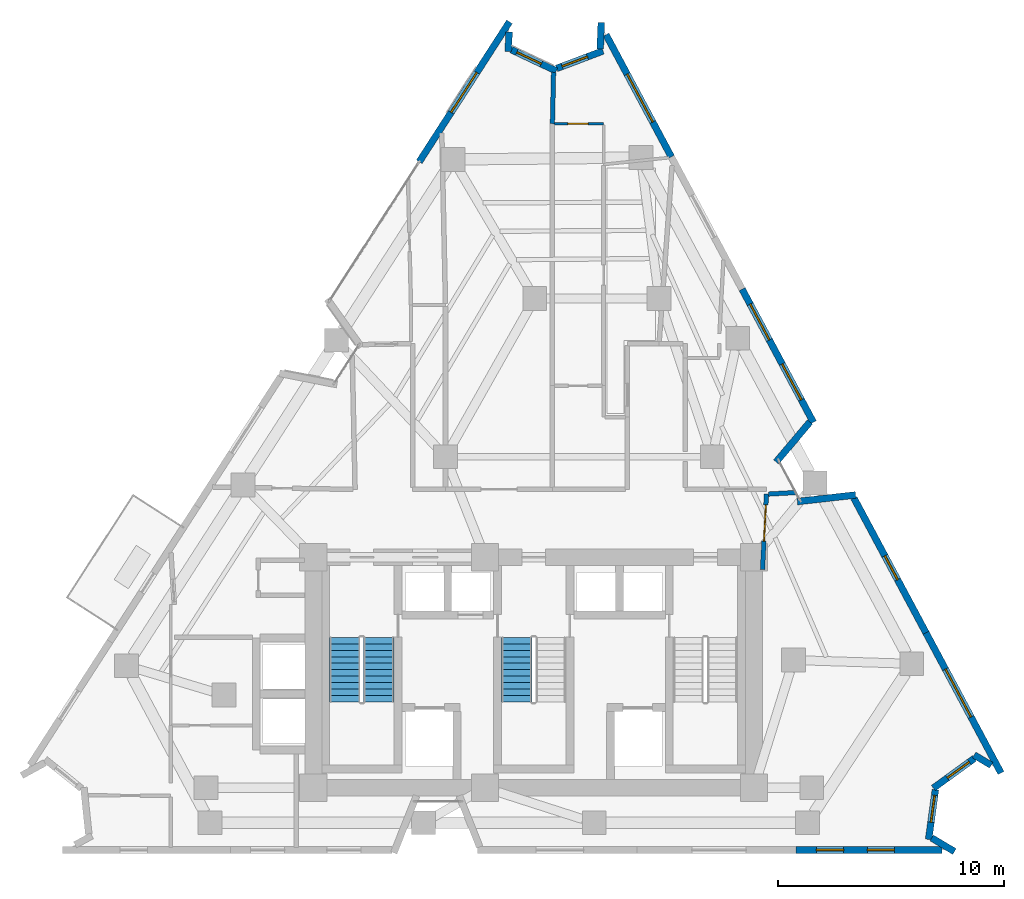
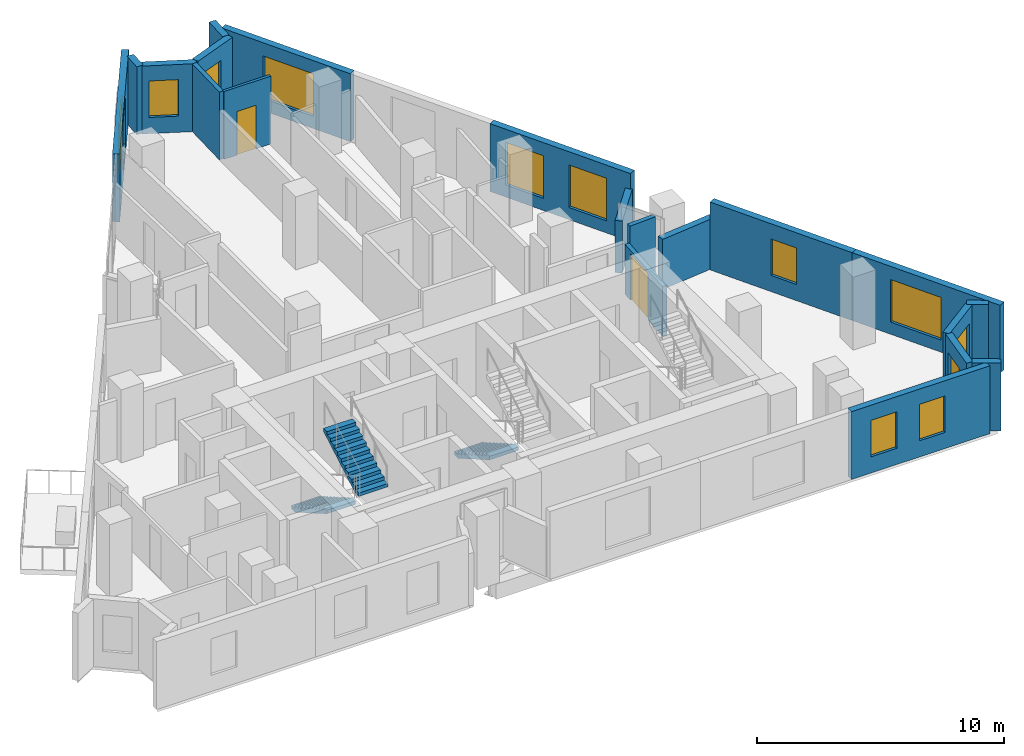
# One storey, part 8 of 11: 20 walls, 12 windows, 3 stair flights, 2 doors, 14 openings, 2 elements without a shape of their own.
"""IFC4 building model written with IfcOpenShell, lengths in metres."""

from ifc_helpers import new_model, si_unit, direction, frame, frame_2d, origin, place, context, subcontext, project, spatial, polyline, rectangle, outline, extrude, material, layer, layer_set, type_object, element, fill, aggregate, save


model = new_model("IFC4")

# Units and contexts
model_context = context("Model", 3, precision=1e-05, world=origin(), true_north=direction((0.0, 1.0)))
body_context = subcontext(model_context, "Body", "Model", "MODEL_VIEW")
ifc_project = project(units=[si_unit("LENGTHUNIT", "METRE"), si_unit("AREAUNIT", "SQUARE_METRE"), si_unit("VOLUMEUNIT", "CUBIC_METRE"), si_unit("PLANEANGLEUNIT", "RADIAN"), si_unit("MASSUNIT", "GRAM", prefix="KILO")], contexts=[model_context])

# Site, building, storey
site_placement = place(None, origin())
site = spatial("IfcSite", under=ifc_project, at=site_placement, CompositionType="ELEMENT")
building_placement = place(site_placement, origin())
building = spatial("IfcBuilding", under=site, at=building_placement, Name="Almagre Mirador Tower", CompositionType="ELEMENT")
storey_placement = place(building_placement, frame((0.0, 0.0, 178.800048828125)))
storey = spatial("IfcBuildingStorey", under=building, at=storey_placement, Name="L46", CompositionType="ELEMENT", Elevation=178.800048828125)

# Wall, opening, window
ifc_material_1 = material(Name="Precast concrete C50/60", Category="concrete")
ifc_layer_1 = layer(ifc_material_1, 0.300048828125)
ifc_layer_set_1 = layer_set([ifc_layer_1], Name="Precast concrete C50/60")
wall_type_1 = type_object("IfcWallType", Name="WAL-EXT-300", PredefinedType="SOLIDWALL", material=ifc_layer_set_1)
wall_1_placement = place(storey_placement, frame((32.239501953125, 32.2490234375, 0.0), z_axis=(0.0, 0.0, 1.0), x_axis=(0.542023436135, 0.840363370621, 0.0)))
wall_1 = element("IfcWall", 1, at=wall_1_placement, inside=storey, type_object=wall_type_1, Name="L46 expressed almagre precast frame wall 03", PredefinedType="SOLIDWALL", context=body_context, shape_type="SweptSolid", body=[
    extrude(rectangle(XDim=7.36572265625, YDim=0.300048828125, at=frame_2d((3.682861328125, 0.0))), origin(), (0.0, 0.0, 1.0), 3.349853515625),
])
opening_1_placement = place(wall_1_placement, frame((2.60009765625, 0.0, 0.550048828125)))
opening_1 = element("IfcOpeningElement", 2, at=opening_1_placement, cuts=wall_1, Name="Opening WN-05", PredefinedType="OPENING", context=body_context, shape_type="SweptSolid", body=[
    extrude(rectangle(XDim=2.10009765625, YDim=2.39990234375, at=frame_2d((1.050048828125, 1.199951171875))), frame((0.0, 0.159902, 0.0), z_axis=(0.0, -1.0, 0.0), x_axis=(1.0, 0.0, 0.0)), (0.0, 0.0, 1.0), 0.320049),
])
ifc_material_2 = material(Name="Dark solar-control laminated hurricane glass", Category="glass")
window_type_1 = type_object("IfcWindowType", Name="WIN-2100X2400", PartitioningType="DOUBLE_PANEL_VERTICAL", PredefinedType="WINDOW", material=ifc_material_2)
window_1_placement = place(opening_1_placement, origin())
window_1 = element("IfcWindow", 3, at=window_1_placement, inside=storey, type_object=window_type_1, Name="L46 recessed hurricane window L46-RST-F", OverallHeight=2.39990234375, OverallWidth=2.10009765625, PartitioningType="SINGLE_PANEL", PredefinedType="WINDOW", context=body_context, shape_type="SweptSolid", body=[
    extrude(rectangle(XDim=2.10009765625, YDim=2.39990234375, at=frame_2d((1.050048828125, 1.199951171875))), frame((0.0, 0.030029296875, 0.0), z_axis=(0.0, -1.0, 0.0), x_axis=(1.0, 0.0, 0.0)), (0.0, 0.0, 1.0), 0.06005859375),
])
fill(opening_1, window_1)

# Wall
wall_2_placement = place(storey_placement, frame((36.21337890625, 37.984375, 0.0), z_axis=(0.0, 0.0, 1.0), x_axis=(-0.041119807978, -0.999154223027, 0.0)))
element("IfcWall", 4, at=wall_2_placement, inside=storey, type_object=wall_type_1, Name="L46 expressed almagre precast frame wall 04", PredefinedType="SOLIDWALL", context=body_context, shape_type="SweptSolid", body=[
    extrude(rectangle(XDim=0.85498046875, YDim=0.300048828125, at=frame_2d((0.427490234375, 0.0))), origin(), (0.0, 0.0, 1.0), 3.349853515625),
])

# Wall, opening, window
wall_3_placement = place(storey_placement, frame((36.310546875, 37.2099609375, 0.0), z_axis=(0.0, 0.0, 1.0), x_axis=(0.903471604204, -0.428647944585, 0.0)))
wall_3 = element("IfcWall", 5, at=wall_3_placement, inside=storey, type_object=wall_type_1, Name="L46 expressed almagre precast frame wall 05", PredefinedType="SOLIDWALL", context=body_context, shape_type="SweptSolid", body=[
    extrude(rectangle(XDim=2.204833984375, YDim=0.300048828125, at=frame_2d((1.1025390625, 0.0))), origin(), (0.0, 0.0, 1.0), 3.349853515625),
])
opening_2_placement = place(wall_3_placement, frame((0.27001953125, 0.0, 0.800048828125)))
opening_2 = element("IfcOpeningElement", 6, at=opening_2_placement, cuts=wall_3, Name="Opening WN-04", PredefinedType="OPENING", context=body_context, shape_type="SweptSolid", body=[
    extrude(rectangle(XDim=1.199951171875, YDim=1.800048828125, at=frame_2d((0.60009765625, 0.89990234375))), frame((0.0, 0.159902, 0.0), z_axis=(0.0, -1.0, 0.0), x_axis=(1.0, 0.0, 0.0)), (0.0, 0.0, 1.0), 0.320049),
])
ifc_material_3 = material(Name="Dark solar-control laminated hurricane glass", Category="glass")
window_type_2 = type_object("IfcWindowType", Name="WIN-1200X1800", PartitioningType="SINGLE_PANEL", PredefinedType="WINDOW", material=ifc_material_3)
window_2_placement = place(opening_2_placement, origin())
window_2 = element("IfcWindow", 7, at=window_2_placement, inside=storey, type_object=window_type_2, Name="L46 recessed hurricane window L46-RST-F", OverallHeight=1.800048828125, OverallWidth=1.199951171875, PartitioningType="SINGLE_PANEL", PredefinedType="WINDOW", context=body_context, shape_type="SweptSolid", body=[
    extrude(rectangle(XDim=1.199951171875, YDim=1.800048828125, at=frame_2d((0.60009765625, 0.89990234375))), frame((0.0, 0.030029296875, 0.0), z_axis=(0.0, -1.0, 0.0), x_axis=(1.0, 0.0, 0.0)), (0.0, 0.0, 1.0), 0.06005859375),
])
fill(opening_2, window_2)

wall_4_placement = place(storey_placement, frame((38.31640625, 36.3779296875, 0.0), z_axis=(0.0, 0.0, 1.0), x_axis=(0.935503953589, 0.353316222129, 0.0)))
wall_4 = element("IfcWall", 8, at=wall_4_placement, inside=storey, type_object=wall_type_1, Name="L46 expressed almagre precast frame wall 06", PredefinedType="SOLIDWALL", context=body_context, shape_type="SweptSolid", body=[
    extrude(rectangle(XDim=2.1953125, YDim=0.300048828125, at=frame_2d((1.09765625, 0.0))), origin(), (0.0, 0.0, 1.0), 3.349853515625),
])
opening_3_placement = place(wall_4_placement, frame((0.260009765625, 0.0, 0.800048828125)))
opening_3 = element("IfcOpeningElement", 9, at=opening_3_placement, cuts=wall_4, Name="Opening WN-04", PredefinedType="OPENING", context=body_context, shape_type="SweptSolid", body=[
    extrude(rectangle(XDim=1.199951171875, YDim=1.800048828125, at=frame_2d((0.60009765625, 0.89990234375))), frame((0.0, 0.159902, 0.0), z_axis=(0.0, -1.0, 0.0), x_axis=(1.0, 0.0, 0.0)), (0.0, 0.0, 1.0), 0.320049),
])
window_3_placement = place(opening_3_placement, origin())
window_3 = element("IfcWindow", 10, at=window_3_placement, inside=storey, type_object=window_type_2, Name="L46 recessed hurricane window L46-UH-KT", OverallHeight=1.800048828125, OverallWidth=1.199951171875, PartitioningType="SINGLE_PANEL", PredefinedType="WINDOW", context=body_context, shape_type="SweptSolid", body=[
    extrude(rectangle(XDim=1.199951171875, YDim=1.800048828125, at=frame_2d((0.60009765625, 0.89990234375))), frame((0.0, 0.030029296875, 0.0), z_axis=(0.0, -1.0, 0.0), x_axis=(1.0, 0.0, 0.0)), (0.0, 0.0, 1.0), 0.06005859375),
])
fill(opening_3, window_3)

# Wall
wall_5_placement = place(storey_placement, frame((40.24462890625, 37.239013671875, 0.0), z_axis=(0.0, 0.0, 1.0), x_axis=(0.040939027533, 0.999161646594, 0.0)))
element("IfcWall", 11, at=wall_5_placement, inside=storey, type_object=wall_type_1, Name="L46 expressed almagre precast frame wall 07", PredefinedType="SOLIDWALL", context=body_context, shape_type="SweptSolid", body=[
    extrude(rectangle(XDim=1.1748046875, YDim=0.300048828125, at=frame_2d((0.58740234375, 0.0))), origin(), (0.0, 0.0, 1.0), 3.349853515625),
])

# Wall, opening, window
wall_6_placement = place(storey_placement, frame((40.501708984375, 37.871826171875, 0.0), z_axis=(0.0, 0.0, 1.0), x_axis=(0.471717097929, -0.881749952946, 0.0)))
wall_6 = element("IfcWall", 12, at=wall_6_placement, inside=storey, type_object=wall_type_1, Name="L46 expressed almagre precast frame wall 08", PredefinedType="SOLIDWALL", context=body_context, shape_type="SweptSolid", body=[
    extrude(rectangle(XDim=6.126953125, YDim=0.300048828125, at=frame_2d((3.0634765625, 0.0))), origin(), (0.0, 0.0, 1.0), 3.349853515625),
])
opening_4_placement = place(wall_6_placement, frame((1.97998046875, 0.0, 0.60009765625)))
opening_4 = element("IfcOpeningElement", 13, at=opening_4_placement, cuts=wall_6, Name="Opening WN-02", PredefinedType="OPENING", context=body_context, shape_type="SweptSolid", body=[
    extrude(rectangle(XDim=2.39990234375, YDim=2.10009765625, at=frame_2d((1.199951171875, 1.050048828125))), frame((0.0, 0.159902, 0.0), z_axis=(0.0, -1.0, 0.0), x_axis=(1.0, 0.0, 0.0)), (0.0, 0.0, 1.0), 0.320049),
])
ifc_material_4 = material(Name="Dark solar-control laminated hurricane glass", Category="glass")
window_type_3 = type_object("IfcWindowType", Name="WIN-2400X2100", PartitioningType="TRIPLE_PANEL_VERTICAL", PredefinedType="WINDOW", material=ifc_material_4)
window_4_placement = place(opening_4_placement, origin())
window_4 = element("IfcWindow", 14, at=window_4_placement, inside=storey, type_object=window_type_3, Name="L46 recessed hurricane window L46-UH-KT", OverallHeight=2.10009765625, OverallWidth=2.39990234375, PartitioningType="SINGLE_PANEL", PredefinedType="WINDOW", context=body_context, shape_type="SweptSolid", body=[
    extrude(rectangle(XDim=2.39990234375, YDim=2.10009765625, at=frame_2d((1.199951171875, 1.050048828125))), frame((0.0, 0.030029296875, 0.0), z_axis=(0.0, -1.0, 0.0), x_axis=(1.0, 0.0, 0.0)), (0.0, 0.0, 1.0), 0.06005859375),
])
fill(opening_4, window_4)

# Wall, openings, windows
wall_7_placement = place(storey_placement, frame((46.527099609375, 26.60986328125, 0.0), z_axis=(0.0, 0.0, 1.0), x_axis=(0.471721602778, -0.881747542935, 0.0)))
wall_7 = element("IfcWall", 15, at=wall_7_placement, inside=storey, type_object=wall_type_1, Name="L46 expressed almagre precast frame wall 10", PredefinedType="SOLIDWALL", context=body_context, shape_type="SweptSolid", body=[
    extrude(rectangle(XDim=6.68359375, YDim=0.300048828125, at=frame_2d((3.341796875, 0.0))), origin(), (0.0, 0.0, 1.0), 3.349853515625),
])
opening_5_placement = place(wall_7_placement, frame((3.75, 0.0, 0.60009765625)))
opening_5 = element("IfcOpeningElement", 16, at=opening_5_placement, cuts=wall_7, Name="Opening WN-01", PredefinedType="OPENING", context=body_context, shape_type="SweptSolid", body=[
    extrude(rectangle(XDim=1.800048828125, YDim=2.10009765625, at=frame_2d((0.89990234375, 1.050048828125))), frame((0.0, 0.159902, 0.0), z_axis=(0.0, -1.0, 0.0), x_axis=(1.0, 0.0, 0.0)), (0.0, 0.0, 1.0), 0.320049),
])
opening_6_placement = place(wall_7_placement, frame((0.75, 0.0, 0.60009765625)))
opening_6 = element("IfcOpeningElement", 17, at=opening_6_placement, cuts=wall_7, Name="Opening WN-01", PredefinedType="OPENING", context=body_context, shape_type="SweptSolid", body=[
    extrude(rectangle(XDim=1.800048828125, YDim=2.10009765625, at=frame_2d((0.89990234375, 1.050048828125))), frame((0.0, 0.159902, 0.0), z_axis=(0.0, -1.0, 0.0), x_axis=(1.0, 0.0, 0.0)), (0.0, 0.0, 1.0), 0.320049),
])
ifc_material_5 = material(Name="Dark solar-control laminated hurricane glass", Category="glass")
window_type_4 = type_object("IfcWindowType", Name="WIN-1800X2100", PartitioningType="DOUBLE_PANEL_VERTICAL", PredefinedType="WINDOW", material=ifc_material_5)
window_5_placement = place(opening_5_placement, origin())
window_5 = element("IfcWindow", 18, at=window_5_placement, inside=storey, type_object=window_type_4, Name="L46 recessed hurricane window L46-UG-ST", OverallHeight=2.10009765625, OverallWidth=1.800048828125, PartitioningType="SINGLE_PANEL", PredefinedType="WINDOW", context=body_context, shape_type="SweptSolid", body=[
    extrude(rectangle(XDim=1.800048828125, YDim=2.10009765625, at=frame_2d((0.89990234375, 1.050048828125))), frame((0.0, 0.030029296875, 0.0), z_axis=(0.0, -1.0, 0.0), x_axis=(1.0, 0.0, 0.0)), (0.0, 0.0, 1.0), 0.06005859375),
])
fill(opening_5, window_5)
window_6_placement = place(opening_6_placement, origin())
window_6 = element("IfcWindow", 19, at=window_6_placement, inside=storey, type_object=window_type_4, Name="L46 recessed hurricane window L46-UG-BT", OverallHeight=2.10009765625, OverallWidth=1.800048828125, PartitioningType="SINGLE_PANEL", PredefinedType="WINDOW", context=body_context, shape_type="SweptSolid", body=[
    extrude(rectangle(XDim=1.800048828125, YDim=2.10009765625, at=frame_2d((0.89990234375, 1.050048828125))), frame((0.0, 0.030029296875, 0.0), z_axis=(0.0, -1.0, 0.0), x_axis=(1.0, 0.0, 0.0)), (0.0, 0.0, 1.0), 0.06005859375),
])
fill(opening_6, window_6)

# Walls
wall_8_placement = place(storey_placement, frame((49.523681640625, 20.733154296875, 0.0), z_axis=(0.0, 0.0, 1.0), x_axis=(-0.645152076947, -0.764054184996, 0.0)))
element("IfcWall", 20, at=wall_8_placement, inside=storey, type_object=wall_type_1, Name="L46 expressed almagre precast frame wall 11", PredefinedType="SOLIDWALL", context=body_context, shape_type="SweptSolid", body=[
    extrude(rectangle(XDim=2.31396484375, YDim=0.300048828125, at=frame_2d((1.156982421875, 0.0))), origin(), (0.0, 0.0, 1.0), 2.574951171875),
])
wall_9_placement = place(storey_placement, frame((48.968017578125, 17.21337890625, 0.0), z_axis=(0.0, 0.0, 1.0), x_axis=(0.993674192695, 0.112301374752, 0.0)))
element("IfcWall", 21, at=wall_9_placement, inside=storey, type_object=wall_type_1, Name="L46 expressed almagre precast frame wall 12", PredefinedType="SOLIDWALL", context=body_context, shape_type="SweptSolid", body=[
    extrude(rectangle(XDim=2.593505859375, YDim=0.300048828125, at=frame_2d((1.296875, 0.0))), origin(), (0.0, 0.0, 1.0), 2.468994140625),
])

# Wall, opening, window
wall_10_placement = place(storey_placement, frame((51.4697265625, 17.369873046875, 0.0), z_axis=(0.0, 0.0, 1.0), x_axis=(0.471740390208, -0.881737491687, 0.0)))
wall_10 = element("IfcWall", 22, at=wall_10_placement, inside=storey, type_object=wall_type_1, Name="L46 expressed almagre precast frame wall 13", PredefinedType="SOLIDWALL", context=body_context, shape_type="SweptSolid", body=[
    extrude(rectangle(XDim=6.761474609375, YDim=0.300048828125, at=frame_2d((3.380859375, 0.0))), origin(), (0.0, 0.0, 1.0), 3.349853515625),
])
opening_7_placement = place(wall_10_placement, frame((2.89990234375, 0.0, 0.800048828125)))
opening_7 = element("IfcOpeningElement", 23, at=opening_7_placement, cuts=wall_10, Name="Opening WN-04", PredefinedType="OPENING", context=body_context, shape_type="SweptSolid", body=[
    extrude(rectangle(XDim=1.199951171875, YDim=1.800048828125, at=frame_2d((0.60009765625, 0.89990234375))), frame((0.0, 0.159902, 0.0), z_axis=(0.0, -1.0, 0.0), x_axis=(1.0, 0.0, 0.0)), (0.0, 0.0, 1.0), 0.320049),
])
window_7_placement = place(opening_7_placement, origin())
window_7 = element("IfcWindow", 24, at=window_7_placement, inside=storey, type_object=window_type_2, Name="L46 recessed hurricane window L46-UC-ST", OverallHeight=1.800048828125, OverallWidth=1.199951171875, PartitioningType="SINGLE_PANEL", PredefinedType="WINDOW", context=body_context, shape_type="SweptSolid", body=[
    extrude(rectangle(XDim=1.199951171875, YDim=1.800048828125, at=frame_2d((0.60009765625, 0.89990234375))), frame((0.0, 0.030029296875, 0.0), z_axis=(0.0, -1.0, 0.0), x_axis=(1.0, 0.0, 0.0)), (0.0, 0.0, 1.0), 0.06005859375),
])
fill(opening_7, window_7)

wall_11_placement = place(storey_placement, frame((54.659423828125, 11.407958984375, 0.0), z_axis=(0.0, 0.0, 1.0), x_axis=(0.471760157183, -0.881726915827, 0.0)))
wall_11 = element("IfcWall", 25, at=wall_11_placement, inside=storey, type_object=wall_type_1, Name="L46 expressed almagre precast frame wall 14", PredefinedType="SOLIDWALL", context=body_context, shape_type="SweptSolid", body=[
    extrude(rectangle(XDim=7.03662109375, YDim=0.300048828125, at=frame_2d((3.518310546875, 0.0))), origin(), (0.0, 0.0, 1.0), 3.349853515625),
])
opening_8_placement = place(wall_11_placement, frame((1.824951171875, 0.0, 0.60009765625)))
opening_8 = element("IfcOpeningElement", 26, at=opening_8_placement, cuts=wall_11, Name="Opening WN-02", PredefinedType="OPENING", context=body_context, shape_type="SweptSolid", body=[
    extrude(rectangle(XDim=2.39990234375, YDim=2.10009765625, at=frame_2d((1.199951171875, 1.050048828125))), frame((0.0, 0.159902, 0.0), z_axis=(0.0, -1.0, 0.0), x_axis=(1.0, 0.0, 0.0)), (0.0, 0.0, 1.0), 0.320049),
])
window_8_placement = place(opening_8_placement, origin())
window_8 = element("IfcWindow", 27, at=window_8_placement, inside=storey, type_object=window_type_3, Name="L46 recessed hurricane window L46-UC-KT", OverallHeight=2.10009765625, OverallWidth=2.39990234375, PartitioningType="SINGLE_PANEL", PredefinedType="WINDOW", context=body_context, shape_type="SweptSolid", body=[
    extrude(rectangle(XDim=2.39990234375, YDim=2.10009765625, at=frame_2d((1.199951171875, 1.050048828125))), frame((0.0, 0.030029296875, 0.0), z_axis=(0.0, -1.0, 0.0), x_axis=(1.0, 0.0, 0.0)), (0.0, 0.0, 1.0), 0.06005859375),
])
fill(opening_8, window_8)

# Wall
wall_12_placement = place(storey_placement, frame((57.5439453125, 5.5478515625, 0.0), z_axis=(0.0, 0.0, 1.0), x_axis=(-0.857957606383, 0.513720493702, 0.0)))
element("IfcWall", 28, at=wall_12_placement, inside=storey, type_object=wall_type_1, Name="L46 expressed almagre precast frame wall 15", PredefinedType="SOLIDWALL", context=body_context, shape_type="SweptSolid", body=[
    extrude(rectangle(XDim=0.880126953125, YDim=0.300048828125, at=frame_2d((0.43994140625, 0.0))), origin(), (0.0, 0.0, 1.0), 3.349853515625),
])

# Wall, opening, window
wall_13_placement = place(storey_placement, frame((56.7998046875, 5.848876953125, 0.0), z_axis=(0.0, 0.0, 1.0), x_axis=(-0.809635036496, -0.586933648446, 0.0)))
wall_13 = element("IfcWall", 29, at=wall_13_placement, inside=storey, type_object=wall_type_1, Name="L46 expressed almagre precast frame wall 16", PredefinedType="SOLIDWALL", context=body_context, shape_type="SweptSolid", body=[
    extrude(rectangle(XDim=2.24072265625, YDim=0.300048828125, at=frame_2d((1.120361328125, 0.0))), origin(), (0.0, 0.0, 1.0), 3.349853515625),
])
opening_9_placement = place(wall_13_placement, frame((0.27490234375, 0.0, 0.800048828125)))
opening_9 = element("IfcOpeningElement", 30, at=opening_9_placement, cuts=wall_13, Name="Opening WN-04", PredefinedType="OPENING", context=body_context, shape_type="SweptSolid", body=[
    extrude(rectangle(XDim=1.199951171875, YDim=1.800048828125, at=frame_2d((0.60009765625, 0.89990234375))), frame((0.0, 0.159902, 0.0), z_axis=(0.0, -1.0, 0.0), x_axis=(1.0, 0.0, 0.0)), (0.0, 0.0, 1.0), 0.320049),
])
window_9_placement = place(opening_9_placement, origin())
window_9 = element("IfcWindow", 31, at=window_9_placement, inside=storey, type_object=window_type_2, Name="L46 recessed hurricane window L46-UC-KT", OverallHeight=1.800048828125, OverallWidth=1.199951171875, PartitioningType="SINGLE_PANEL", PredefinedType="WINDOW", context=body_context, shape_type="SweptSolid", body=[
    extrude(rectangle(XDim=1.199951171875, YDim=1.800048828125, at=frame_2d((0.60009765625, 0.89990234375))), frame((0.0, 0.030029296875, 0.0), z_axis=(0.0, -1.0, 0.0), x_axis=(1.0, 0.0, 0.0)), (0.0, 0.0, 1.0), 0.06005859375),
])
fill(opening_9, window_9)

wall_14_placement = place(storey_placement, frame((55.07861328125, 4.46728515625, 0.0), z_axis=(0.0, 0.0, 1.0), x_axis=(-0.135475439613, -0.99078070493, 0.0)))
wall_14 = element("IfcWall", 32, at=wall_14_placement, inside=storey, type_object=wall_type_1, Name="L46 expressed almagre precast frame wall 17", PredefinedType="SOLIDWALL", context=body_context, shape_type="SweptSolid", body=[
    extrude(rectangle(XDim=2.2255859375, YDim=0.300048828125, at=frame_2d((1.11279296875, 0.0))), origin(), (0.0, 0.0, 1.0), 3.349853515625),
])
opening_10_placement = place(wall_14_placement, frame((0.260009765625, 0.0, 0.800048828125)))
opening_10 = element("IfcOpeningElement", 33, at=opening_10_placement, cuts=wall_14, Name="Opening WN-04", PredefinedType="OPENING", context=body_context, shape_type="SweptSolid", body=[
    extrude(rectangle(XDim=1.199951171875, YDim=1.800048828125, at=frame_2d((0.60009765625, 0.89990234375))), frame((0.0, 0.159902, 0.0), z_axis=(0.0, -1.0, 0.0), x_axis=(1.0, 0.0, 0.0)), (0.0, 0.0, 1.0), 0.320049),
])
window_10_placement = place(opening_10_placement, origin())
window_10 = element("IfcWindow", 34, at=window_10_placement, inside=storey, type_object=window_type_2, Name="L46 recessed hurricane window L46-UC-KT", OverallHeight=1.800048828125, OverallWidth=1.199951171875, PartitioningType="SINGLE_PANEL", PredefinedType="WINDOW", context=body_context, shape_type="SweptSolid", body=[
    extrude(rectangle(XDim=1.199951171875, YDim=1.800048828125, at=frame_2d((0.60009765625, 0.89990234375))), frame((0.0, 0.030029296875, 0.0), z_axis=(0.0, -1.0, 0.0), x_axis=(1.0, 0.0, 0.0)), (0.0, 0.0, 1.0), 0.06005859375),
])
fill(opening_10, window_10)

# Wall
wall_15_placement = place(storey_placement, frame((54.911865234375, 2.331787109375, 0.0), z_axis=(0.0, 0.0, 1.0), x_axis=(0.857950827386, -0.513731815043, 0.0)))
element("IfcWall", 35, at=wall_15_placement, inside=storey, type_object=wall_type_1, Name="L46 expressed almagre precast frame wall 18", PredefinedType="SOLIDWALL", context=body_context, shape_type="SweptSolid", body=[
    extrude(rectangle(XDim=1.17529296875, YDim=0.300048828125, at=frame_2d((0.587646484375, 0.0))), origin(), (0.0, 0.0, 1.0), 3.349853515625),
])

# Wall, openings, windows
wall_16_placement = place(storey_placement, frame((55.3701171875, 1.800048828125, 0.0), z_axis=(0.0, 0.0, 1.0), x_axis=(-1.0, 0.0, 0.0)))
wall_16 = element("IfcWall", 36, at=wall_16_placement, inside=storey, type_object=wall_type_1, Name="L46 expressed almagre precast frame wall 19", PredefinedType="SOLIDWALL", context=body_context, shape_type="SweptSolid", body=[
    extrude(rectangle(XDim=6.46875, YDim=0.300048828125, at=frame_2d((3.234375, 0.0))), origin(), (0.0, 0.0, 1.0), 3.349853515625),
])
opening_11_placement = place(wall_16_placement, frame((4.35498046875, 0.0, 0.800048828125)))
opening_11 = element("IfcOpeningElement", 37, at=opening_11_placement, cuts=wall_16, Name="Opening WN-04", PredefinedType="OPENING", context=body_context, shape_type="SweptSolid", body=[
    extrude(rectangle(XDim=1.199951171875, YDim=1.800048828125, at=frame_2d((0.60009765625, 0.89990234375))), frame((0.0, 0.159902, 0.0), z_axis=(0.0, -1.0, 0.0), x_axis=(1.0, 0.0, 0.0)), (0.0, 0.0, 1.0), 0.320049),
])
opening_12_placement = place(wall_16_placement, frame((2.10498046875, 0.0, 0.800048828125)))
opening_12 = element("IfcOpeningElement", 38, at=opening_12_placement, cuts=wall_16, Name="Opening WN-04", PredefinedType="OPENING", context=body_context, shape_type="SweptSolid", body=[
    extrude(rectangle(XDim=1.199951171875, YDim=1.800048828125, at=frame_2d((0.60009765625, 0.89990234375))), frame((0.0, 0.159902, 0.0), z_axis=(0.0, -1.0, 0.0), x_axis=(1.0, 0.0, 0.0)), (0.0, 0.0, 1.0), 0.320049),
])
window_11_placement = place(opening_11_placement, origin())
window_11 = element("IfcWindow", 39, at=window_11_placement, inside=storey, type_object=window_type_2, Name="L46 recessed hurricane window L46-RST-B", OverallHeight=1.800048828125, OverallWidth=1.199951171875, PartitioningType="SINGLE_PANEL", PredefinedType="WINDOW", context=body_context, shape_type="SweptSolid", body=[
    extrude(rectangle(XDim=1.199951171875, YDim=1.800048828125, at=frame_2d((0.60009765625, 0.89990234375))), frame((0.0, 0.030029296875, 0.0), z_axis=(0.0, -1.0, 0.0), x_axis=(1.0, 0.0, 0.0)), (0.0, 0.0, 1.0), 0.06005859375),
])
fill(opening_11, window_11)
window_12_placement = place(opening_12_placement, origin())
window_12 = element("IfcWindow", 40, at=window_12_placement, inside=storey, type_object=window_type_2, Name="L46 recessed hurricane window L46-UC-BT", OverallHeight=1.800048828125, OverallWidth=1.199951171875, PartitioningType="SINGLE_PANEL", PredefinedType="WINDOW", context=body_context, shape_type="SweptSolid", body=[
    extrude(rectangle(XDim=1.199951171875, YDim=1.800048828125, at=frame_2d((0.60009765625, 0.89990234375))), frame((0.0, 0.030029296875, 0.0), z_axis=(0.0, -1.0, 0.0), x_axis=(1.0, 0.0, 0.0)), (0.0, 0.0, 1.0), 0.06005859375),
])
fill(opening_12, window_12)

# Wall, opening, door
ifc_material_6 = material(Name="Gypsum acoustic stud partition", Category="other")
ifc_layer_2 = layer(ifc_material_6, 0.125)
ifc_layer_set_2 = layer_set([ifc_layer_2], Name="Gypsum acoustic stud partition")
wall_type_2 = type_object("IfcWallType", Name="WAL-PRT-125-UTL", PredefinedType="PARTITIONING", material=ifc_layer_set_2)
wall_17_placement = place(storey_placement, frame((38.215087890625, 33.929931640625, 0.0), z_axis=(0.0, 0.0, 1.0), x_axis=(1.0, 0.0, 0.0)))
wall_17 = element("IfcWall", 41, at=wall_17_placement, inside=storey, type_object=wall_type_2, Name="L46 interior partition 050", PredefinedType="PARTITIONING", context=body_context, shape_type="SweptSolid", body=[
    extrude(rectangle(XDim=2.184814453125, YDim=0.125, at=frame_2d((1.09228515625, 0.0))), origin(), (0.0, 0.0, 1.0), 3.349853515625),
])
opening_13_placement = place(wall_17_placement, frame((0.60009765625, 0.0, 0.0)))
opening_13 = element("IfcOpeningElement", 42, at=opening_13_placement, cuts=wall_17, Name="Opening UD-02", PredefinedType="OPENING", context=body_context, shape_type="SweptSolid", body=[
    extrude(rectangle(XDim=0.89990234375, YDim=2.14990234375, at=frame_2d((0.449951171875, 1.074951171875))), frame((0.0, 0.0725, 0.0), z_axis=(0.0, -1.0, 0.0), x_axis=(1.0, 0.0, 0.0)), (0.0, 0.0, 1.0), 0.145),
])
ifc_material_7 = material(Name="Solid American walnut timber", Category="wood")
door_type_1 = type_object("IfcDoorType", Name="DOR-UNR-900X2150", OperationType="NOTDEFINED", PredefinedType="DOOR", material=ifc_material_7)
door_1_placement = place(opening_13_placement, origin())
door_1 = element("IfcDoor", 43, at=door_1_placement, inside=storey, type_object=door_type_1, Name="DR-1474 L46 interior door L46-UH-KT to L46-UH-MB", OperationType="SINGLE_SWING_LEFT", OverallHeight=2.14990234375, OverallWidth=0.89990234375, PredefinedType="DOOR", context=body_context, shape_type="SweptSolid", body=[
    extrude(rectangle(XDim=0.89990234375, YDim=2.14990234375, at=frame_2d((0.449951171875, 1.074951171875))), frame((0.0, 0.02490234375, 0.0), z_axis=(0.0, -1.0, 0.0), x_axis=(1.0, 0.0, 0.0)), (0.0, 0.0, 1.0), 0.050048828125),
])
fill(opening_13, door_1)

ifc_material_8 = material(Name="Gypsum acoustic stud partition", Category="other")
ifc_layer_3 = layer(ifc_material_8, 0.199951171875)
ifc_layer_set_3 = layer_set([ifc_layer_3], Name="Gypsum acoustic stud partition")
wall_type_3 = type_object("IfcWallType", Name="WAL-PRT-200-EI60", PredefinedType="PARTITIONING", material=ifc_layer_set_3)
wall_18_placement = place(storey_placement, frame((47.425048828125, 14.199951171875, 0.0), z_axis=(0.0, 0.0, 1.0), x_axis=(0.052336623882, 0.998629499765, 0.0)))
wall_18 = element("IfcWall", 44, at=wall_18_placement, inside=storey, type_object=wall_type_3, Name="L46 interior partition 004", PredefinedType="PARTITIONING", context=body_context, shape_type="SweptSolid", body=[
    extrude(rectangle(XDim=3.3447265625, YDim=0.199951171875, at=frame_2d((1.67236328125, 0.0))), origin(), (0.0, 0.0, 1.0), 2.4638671875),
])
opening_14_placement = place(wall_18_placement, frame((1.2666015625, 0.0, 0.0)))
opening_14 = element("IfcOpeningElement", 45, at=opening_14_placement, cuts=wall_18, Name="Opening ID-05", PredefinedType="OPENING", context=body_context, shape_type="SweptSolid", body=[
    extrude(rectangle(XDim=1.60009765625, YDim=2.300048828125, at=frame_2d((0.800048828125, 1.14990234375))), frame((0.0, 0.110098, 0.0), z_axis=(0.0, -1.0, 0.0), x_axis=(1.0, 0.0, 0.0)), (0.0, 0.0, 1.0), 0.219951),
])
ifc_material_9 = material(Name="Fire-rated acoustic timber", Category="wood")
door_type_2 = type_object("IfcDoorType", Name="DOR-FD60-1600X2300", OperationType="DOUBLE_DOOR_SINGLE_SWING", PredefinedType="DOOR", material=ifc_material_9)
door_2_placement = place(opening_14_placement, origin())
door_2 = element("IfcDoor", 46, at=door_2_placement, inside=storey, type_object=door_type_2, Name="DR-1463 L46 interior door L46-RCOR to L46-RST-B", OperationType="DOUBLE_DOOR_SINGLE_SWING", OverallHeight=2.300048828125, OverallWidth=1.60009765625, PredefinedType="DOOR", context=body_context, shape_type="SweptSolid", body=[
    extrude(rectangle(XDim=1.60009765625, YDim=2.300048828125, at=frame_2d((0.800048828125, 1.14990234375))), frame((0.0, 0.02490234375, 0.0), z_axis=(0.0, -1.0, 0.0), x_axis=(1.0, 0.0, 0.0)), (0.0, 0.0, 1.0), 0.050048828125),
])
fill(opening_14, door_2)

# Walls
wall_19_placement = place(storey_placement, frame((48.903076171875, 17.611083984375, 0.0), z_axis=(0.0, 0.0, 1.0), x_axis=(-0.998517685885, -0.054428218549, 0.0)))
element("IfcWall", 47, at=wall_19_placement, inside=storey, type_object=wall_type_3, Name="L46 interior partition 028", PredefinedType="PARTITIONING", context=body_context, shape_type="SweptSolid", body=[
    extrude(rectangle(XDim=1.219970703125, YDim=0.199951171875, at=frame_2d((0.60986328125, 0.0))), origin(), (0.0, 0.0, 1.0), 3.349853515625),
])
wall_20_placement = place(storey_placement, frame((38.1298828125, 33.929931640625, 0.0), z_axis=(0.0, 0.0, 1.0), x_axis=(0.022821190318, 0.999739562722, 0.0)))
element("IfcWall", 48, at=wall_20_placement, inside=storey, type_object=wall_type_3, Name="L46 interior partition 038", PredefinedType="PARTITIONING", context=body_context, shape_type="SweptSolid", body=[
    extrude(rectangle(XDim=2.278564453125, YDim=0.199951171875, at=frame_2d((1.13916015625, 0.0))), origin(), (0.0, 0.0, 1.0), 3.349853515625),
])

# Stair, stair flights
ifc_material_10 = material(Name="Concrete C45/55", Category="concrete")
stair_type = type_object("IfcStairType", Name="STR-DL-3600", PredefinedType="HALF_TURN_STAIR", material=ifc_material_10)
stair_1_placement = place(storey_placement, origin())
stair_1 = element("IfcStair", 49, at=stair_1_placement, inside=storey, type_object=stair_type, Name="L46 Protected exit stair ST-1", PredefinedType="HALF_TURN_STAIR")
ifc_material_11 = material(Name="Concrete C45/55", Category="concrete")
stair_flight_type = type_object("IfcStairFlightType", Name="FLT-DL-3600", PredefinedType="STRAIGHT", material=ifc_material_11)
stair_flight_1_placement = place(storey_placement, frame((28.949951171875, 11.199951171875, 0.0), z_axis=(0.0, 0.0, 1.0), x_axis=(0.0, -1.0, 0.0)))
stair_flight_1 = element("IfcStairFlight", 50, at=stair_flight_1_placement, type_object=stair_flight_type, Name="ST-1 flight 1", NumberOfRisers=11, NumberOfTreads=10, PredefinedType="STRAIGHT", RiserHeight=0.163636364, TreadLength=0.285, context=body_context, shape_type="SweptSolid", body=[
    extrude(outline(polyline([(0.0, 0.0), (0.0, 0.16357421875), (0.284912109375, 0.16357421875), (0.284912109375, 0.327392578125), (0.570068359375, 0.327392578125), (0.570068359375, 0.490966796875), (0.85498046875, 0.490966796875), (0.85498046875, 0.654541015625), (1.139892578125, 0.654541015625), (1.139892578125, 0.818115234375), (1.425048828125, 0.818115234375), (1.425048828125, 0.98193359375), (1.7099609375, 0.98193359375), (1.7099609375, 1.1455078125), (1.9951171875, 1.1455078125), (1.9951171875, 1.30908203125), (2.280029296875, 1.30908203125), (2.280029296875, 1.47265625), (2.56494140625, 1.47265625), (2.56494140625, 1.636474609375), (2.85009765625, 1.636474609375), (2.85009765625, 1.800048828125), (2.85009765625, 1.463623046875), (0.301025390625, 0.0), (0.0, 0.0)])), frame((0.0, 0.675048828125, 0.0), z_axis=(0.0, -1.0, 0.0), x_axis=(1.0, 0.0, 0.0)), (0.0, 0.0, 1.0), 1.35009765625),
])
stair_flight_2_placement = place(storey_placement, frame((30.449951171875, 8.35009765625, 1.800048828125), z_axis=(0.0, 0.0, 1.0), x_axis=(0.0, 1.0, 0.0)))
stair_flight_2 = element("IfcStairFlight", 51, at=stair_flight_2_placement, type_object=stair_flight_type, Name="ST-1 flight 2", NumberOfRisers=11, NumberOfTreads=10, PredefinedType="STRAIGHT", RiserHeight=0.163636364, TreadLength=0.285, context=body_context, shape_type="SweptSolid", body=[
    extrude(outline(polyline([(0.0, 0.0), (0.0, 0.16357421875), (0.284912109375, 0.16357421875), (0.284912109375, 0.327392578125), (0.570068359375, 0.327392578125), (0.570068359375, 0.490966796875), (0.85498046875, 0.490966796875), (0.85498046875, 0.654541015625), (1.139892578125, 0.654541015625), (1.139892578125, 0.818115234375), (1.425048828125, 0.818115234375), (1.425048828125, 0.98193359375), (1.7099609375, 0.98193359375), (1.7099609375, 1.1455078125), (1.9951171875, 1.1455078125), (1.9951171875, 1.30908203125), (2.280029296875, 1.30908203125), (2.280029296875, 1.47265625), (2.56494140625, 1.47265625), (2.56494140625, 1.636474609375), (2.85009765625, 1.636474609375), (2.85009765625, 1.800048828125), (2.85009765625, 1.463623046875), (0.301025390625, 0.0), (0.0, 0.0)])), frame((0.0, 0.675048828125, 0.0), z_axis=(0.0, -1.0, 0.0), x_axis=(1.0, 0.0, 0.0)), (0.0, 0.0, 1.0), 1.35009765625),
])
aggregate(stair_1, [stair_flight_1, stair_flight_2])

# Stair, stair flight
stair_2_placement = place(storey_placement, origin())
stair_2 = element("IfcStair", 52, at=stair_2_placement, inside=storey, type_object=stair_type, Name="L46 Protected exit stair ST-2", PredefinedType="HALF_TURN_STAIR")
stair_flight_3_placement = place(storey_placement, frame((36.550048828125, 11.199951171875, 0.0), z_axis=(0.0, 0.0, 1.0), x_axis=(0.0, -1.0, 0.0)))
stair_flight_3 = element("IfcStairFlight", 53, at=stair_flight_3_placement, type_object=stair_flight_type, Name="ST-2 flight 1", NumberOfRisers=11, NumberOfTreads=10, PredefinedType="STRAIGHT", RiserHeight=0.163636364, TreadLength=0.285, context=body_context, shape_type="SweptSolid", body=[
    extrude(outline(polyline([(0.0, 0.0), (0.0, 0.16357421875), (0.284912109375, 0.16357421875), (0.284912109375, 0.327392578125), (0.570068359375, 0.327392578125), (0.570068359375, 0.490966796875), (0.85498046875, 0.490966796875), (0.85498046875, 0.654541015625), (1.139892578125, 0.654541015625), (1.139892578125, 0.818115234375), (1.425048828125, 0.818115234375), (1.425048828125, 0.98193359375), (1.7099609375, 0.98193359375), (1.7099609375, 1.1455078125), (1.9951171875, 1.1455078125), (1.9951171875, 1.30908203125), (2.280029296875, 1.30908203125), (2.280029296875, 1.47265625), (2.56494140625, 1.47265625), (2.56494140625, 1.636474609375), (2.85009765625, 1.636474609375), (2.85009765625, 1.800048828125), (2.85009765625, 1.463623046875), (0.301025390625, 0.0), (0.0, 0.0)])), frame((0.0, 0.675048828125, 0.0), z_axis=(0.0, -1.0, 0.0), x_axis=(1.0, 0.0, 0.0)), (0.0, 0.0, 1.0), 1.35009765625),
])
aggregate(stair_2, [stair_flight_3])

save(model, "model.ifc")
